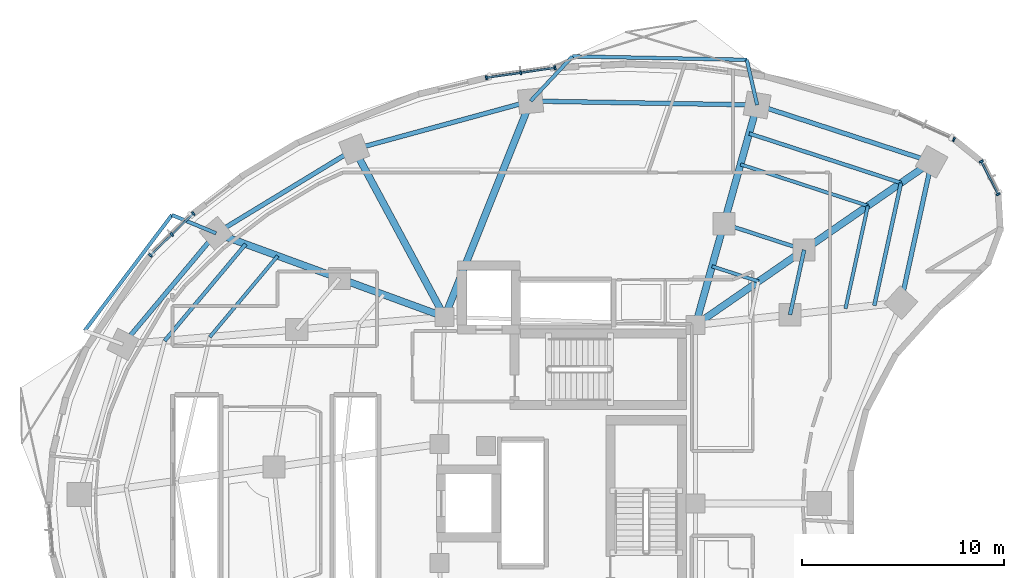
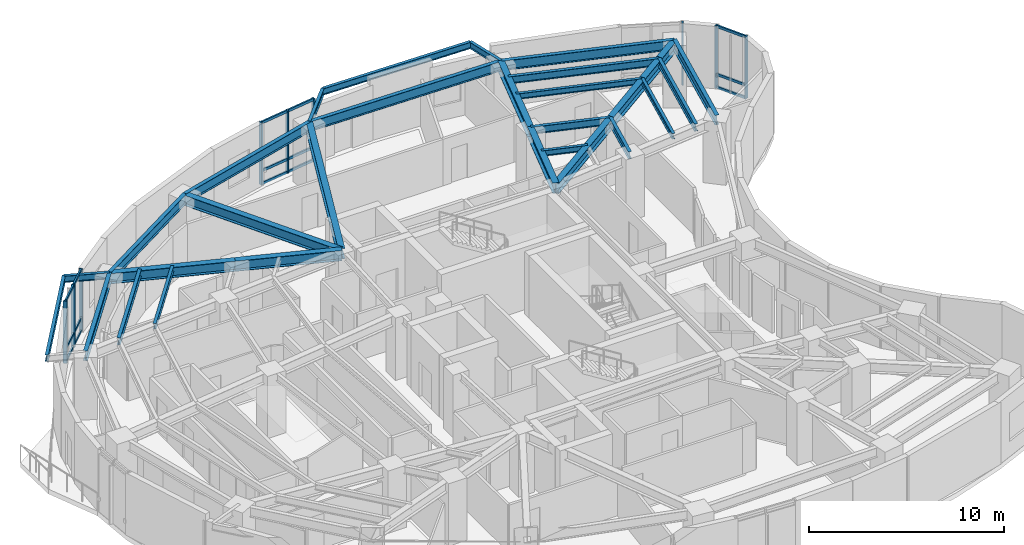
# One storey, part 5 of 15: 28 beams, 24 members, 4 elements without a shape of their own.
"""IFC4 building model written with IfcOpenShell, lengths in metres."""

from ifc_helpers import new_model, si_unit, direction, frame, origin, origin_2d, place, context, subcontext, project, spatial, rectangle, i_section, extrude, material, layer, layer_set, material_profile, profile_set, type_object, element, aggregate, save


model = new_model("IFC4")

# Units and contexts
model_context = context("Model", 3, precision=1e-05, world=origin(), true_north=direction((0.0, 1.0)))
body_context = subcontext(model_context, "Body", "Model", "MODEL_VIEW")
ifc_project = project(units=[si_unit("LENGTHUNIT", "METRE"), si_unit("AREAUNIT", "SQUARE_METRE"), si_unit("VOLUMEUNIT", "CUBIC_METRE"), si_unit("PLANEANGLEUNIT", "RADIAN"), si_unit("MASSUNIT", "GRAM", prefix="KILO")], contexts=[model_context])

# Site, building, storey
site_placement = place(None, origin())
site = spatial("IfcSite", under=ifc_project, at=site_placement, CompositionType="ELEMENT")
building_placement = place(site_placement, origin())
building = spatial("IfcBuilding", under=site, at=building_placement, Name="Korentha Bioscience Tower", CompositionType="ELEMENT")
storey_placement = place(building_placement, frame((0.0, 0.0, 94.199951171875)))
storey = spatial("IfcBuildingStorey", under=building, at=storey_placement, Name="L21", CompositionType="ELEMENT", Elevation=94.199951171875)

# Beams
ifc_material_1 = material(Name="Steel S355", Category="steel")
ifc_material_profile_1 = material_profile(ifc_material_1, i_section(OverallWidth=0.18994140625, OverallDepth=0.45703125, WebThickness=0.009033203125, FlangeThickness=0.014404296875, at=origin_2d()), Name="Steel S355")
ifc_profile_set_1 = profile_set([ifc_material_profile_1], Name="Steel S355 (MB-460)")
beam_type_1 = type_object("IfcBeamType", Name="Mid-Ring Tie Girder W460x74", PredefinedType="BEAM", material=ifc_profile_set_1)
beam_1_placement = place(storey_placement, frame((42.93603515625, 39.57470703125, 3.671630859375), z_axis=(-0.95087582253, 0.309572560361, 0.0), x_axis=(-0.309572560361, -0.95087582253, 0.0)))
element("IfcBeam", 1, at=beam_1_placement, inside=storey, type_object=beam_type_1, Name="L21 Mid-Ring Tie Girder 01", PredefinedType="BEAM", context=body_context, shape_type="SweptSolid", body=[
    extrude(i_section(OverallWidth=0.18994140625, OverallDepth=0.45703125, WebThickness=0.009033203125, FlangeThickness=0.014404296875, at=origin_2d()), origin(), (0.0, 0.0, 1.0), 4.186767578125),
])
beam_2_placement = place(storey_placement, frame((42.235595703125, 36.360595703125, 3.671630859375), z_axis=(0.212928773299, 0.977067724112, 0.0), x_axis=(-0.977067724112, 0.212928773299, 0.0)))
element("IfcBeam", 2, at=beam_2_placement, inside=storey, type_object=beam_type_1, Name="L21 Mid-Ring Tie Girder 16", PredefinedType="BEAM", context=body_context, shape_type="SweptSolid", body=[
    extrude(i_section(OverallWidth=0.18994140625, OverallDepth=0.45703125, WebThickness=0.009033203125, FlangeThickness=0.014404296875, at=origin_2d()), origin(), (0.0, 0.0, 1.0), 3.28955078125),
])

# Curtain wall, member
ifc_material_2 = material(Name="Thermally Broken Aluminium Frame", Category="aluminium")
ifc_layer = layer(ifc_material_2, 0.219970703125, Name="Thermally Broken Aluminium Frame")
ifc_layer_set = layer_set([ifc_layer], Name="Thermally Broken Aluminium Frame (CW-T2)")
curtain_wall_type = type_object("IfcCurtainWallType", Name="Solar-Screened Lab Unitised Curtain Wall CW-T2", PredefinedType="USERDEFINED", material=ifc_layer_set)
curtain_wall_1_placement = place(storey_placement, origin())
curtain_wall_1 = element("IfcCurtainWall", 3, at=curtain_wall_1_placement, inside=storey, type_object=curtain_wall_type, Name="L21 Curtain Wall 01", ObjectType="UNITISED", PredefinedType="USERDEFINED")
ifc_material_3 = material(Name="Anodised Aluminium 6063-T6", Category="aluminium")
ifc_material_profile_2 = material_profile(ifc_material_3, rectangle(XDim=0.090087890625, YDim=0.199951171875, at=origin_2d()), Name="Anodised Aluminium 6063-T6")
ifc_profile_set_2 = profile_set([ifc_material_profile_2], Name="Anodised Aluminium 6063-T6 (CW-MUL)")
member_type_1 = type_object("IfcMemberType", Name="Mullion RECT 90x200", PredefinedType="MULLION", material=ifc_profile_set_2)
member_1_placement = place(storey_placement, frame((50.364013671875, 45.0517578125, 0.0), z_axis=(0.0, 0.0, 1.0), x_axis=(-0.912686563127, 0.408660295952, 0.0)))
member_1 = element("IfcMember", 4, at=member_1_placement, type_object=member_type_1, Name="CW-L21-01 Mullion 1", PredefinedType="MULLION", context=body_context, shape_type="SweptSolid", body=[
    extrude(rectangle(XDim=0.090087890625, YDim=0.199951171875, at=origin_2d()), origin(), (0.0, 0.0, 1.0), 3.900146484375),
])
aggregate(curtain_wall_1, [member_1])

# Curtain wall, members
curtain_wall_2_placement = place(storey_placement, origin())
curtain_wall_2 = element("IfcCurtainWall", 5, at=curtain_wall_2_placement, inside=storey, type_object=curtain_wall_type, Name="L21 Curtain Wall 07", ObjectType="UNITISED", PredefinedType="USERDEFINED")
member_2_placement = place(storey_placement, frame((30.576416015625, 48.609375, 0.0), z_axis=(0.0, 0.0, 1.0), x_axis=(-0.989738282326, -0.14289203091, 0.0)))
member_2 = element("IfcMember", 6, at=member_2_placement, type_object=member_type_1, Name="CW-L21-07 Mullion 1", PredefinedType="MULLION", context=body_context, shape_type="SweptSolid", body=[
    extrude(rectangle(XDim=0.090087890625, YDim=0.199951171875, at=origin_2d()), origin(), (0.0, 0.0, 1.0), 3.900146484375),
])
member_3_placement = place(storey_placement, frame((28.873291015625, 48.363525390625, 0.0), z_axis=(0.0, 0.0, 1.0), x_axis=(-0.989738282326, -0.14289203091, 0.0)))
member_3 = element("IfcMember", 7, at=member_3_placement, type_object=member_type_1, Name="CW-L21-07 Mullion 2", PredefinedType="MULLION", context=body_context, shape_type="SweptSolid", body=[
    extrude(rectangle(XDim=0.090087890625, YDim=0.199951171875, at=origin_2d()), origin(), (0.0, 0.0, 1.0), 3.900146484375),
])
member_4_placement = place(storey_placement, frame((27.170166015625, 48.11767578125, 0.0), z_axis=(0.0, 0.0, 1.0), x_axis=(-0.989738282326, -0.14289203091, 0.0)))
member_4 = element("IfcMember", 8, at=member_4_placement, type_object=member_type_1, Name="CW-L21-07 Mullion 3", PredefinedType="MULLION", context=body_context, shape_type="SweptSolid", body=[
    extrude(rectangle(XDim=0.090087890625, YDim=0.199951171875, at=origin_2d()), origin(), (0.0, 0.0, 1.0), 3.900146484375),
])

curtain_wall_3_placement = place(storey_placement, origin())
curtain_wall_3 = element("IfcCurtainWall", 9, at=curtain_wall_3_placement, inside=storey, type_object=curtain_wall_type, Name="L21 Curtain Wall 13", ObjectType="UNITISED", PredefinedType="USERDEFINED")
member_5_placement = place(storey_placement, frame((12.631103515625, 41.377197265625, 0.0), z_axis=(0.0, 0.0, 1.0), x_axis=(-0.716095631804, -0.698002182025, 0.0)))
member_5 = element("IfcMember", 10, at=member_5_placement, type_object=member_type_1, Name="CW-L21-13 Mullion 1", PredefinedType="MULLION", context=body_context, shape_type="SweptSolid", body=[
    extrude(rectangle(XDim=0.090087890625, YDim=0.199951171875, at=origin_2d()), origin(), (0.0, 0.0, 1.0), 3.900146484375),
])
member_6_placement = place(storey_placement, frame((11.56689453125, 40.340087890625, 0.0), z_axis=(0.0, 0.0, 1.0), x_axis=(-0.716095631804, -0.698002182025, 0.0)))
member_6 = element("IfcMember", 11, at=member_6_placement, type_object=member_type_1, Name="CW-L21-13 Mullion 2", PredefinedType="MULLION", context=body_context, shape_type="SweptSolid", body=[
    extrude(rectangle(XDim=0.090087890625, YDim=0.199951171875, at=origin_2d()), origin(), (0.0, 0.0, 1.0), 3.900146484375),
])
member_7_placement = place(storey_placement, frame((10.5029296875, 39.302734375, 0.0), z_axis=(0.0, 0.0, 1.0), x_axis=(-0.716095631804, -0.698002182025, 0.0)))
member_7 = element("IfcMember", 12, at=member_7_placement, type_object=member_type_1, Name="CW-L21-13 Mullion 3", PredefinedType="MULLION", context=body_context, shape_type="SweptSolid", body=[
    extrude(rectangle(XDim=0.090087890625, YDim=0.199951171875, at=origin_2d()), origin(), (0.0, 0.0, 1.0), 3.900146484375),
])

curtain_wall_4_placement = place(storey_placement, origin())
curtain_wall_4 = element("IfcCurtainWall", 13, at=curtain_wall_4_placement, inside=storey, type_object=curtain_wall_type, Name="L21 Curtain Wall 61", ObjectType="UNITISED", PredefinedType="USERDEFINED")
member_8_placement = place(storey_placement, frame((52.55859375, 42.337158203125, 0.0), z_axis=(0.0, 0.0, 1.0), x_axis=(-0.457613117169, 0.889151412862, 0.0)))
member_8 = element("IfcMember", 14, at=member_8_placement, type_object=member_type_1, Name="CW-L21-61 Mullion 1", PredefinedType="MULLION", context=body_context, shape_type="SweptSolid", body=[
    extrude(rectangle(XDim=0.090087890625, YDim=0.199951171875, at=origin_2d()), origin(), (0.0, 0.0, 1.0), 3.900146484375),
])
member_9_placement = place(storey_placement, frame((51.722412109375, 43.962158203125, 0.0), z_axis=(0.0, 0.0, 1.0), x_axis=(-0.457613117169, 0.889151412862, 0.0)))
member_9 = element("IfcMember", 15, at=member_9_placement, type_object=member_type_1, Name="CW-L21-61 Mullion 2", PredefinedType="MULLION", context=body_context, shape_type="SweptSolid", body=[
    extrude(rectangle(XDim=0.090087890625, YDim=0.199951171875, at=origin_2d()), origin(), (0.0, 0.0, 1.0), 3.900146484375),
])

# Beams
ifc_material_profile_3 = material_profile(ifc_material_1, i_section(OverallWidth=0.22802734375, OverallDepth=0.60791015625, WebThickness=0.01123046875, FlangeThickness=0.017333984375, at=origin_2d()), Name="Steel S355")
ifc_profile_set_3 = profile_set([ifc_material_profile_3], Name="Steel S355 (SB-610)")
beam_type_2 = type_object("IfcBeamType", Name="Perimeter Ring Spandrel Girder W610x113", PredefinedType="SPANDREL", material=ifc_profile_set_3)
beam_3_placement = place(storey_placement, frame((49.2587890625, 43.947021484375, 3.595947265625), z_axis=(-0.950867758759, 0.309597327755, 0.0), x_axis=(-0.309597327755, -0.950867758759, 0.0)))
element("IfcBeam", 16, at=beam_3_placement, inside=storey, type_object=beam_type_2, Name="L21 Perimeter Spandrel Girder 01", PredefinedType="SPANDREL", context=body_context, shape_type="SweptSolid", body=[
    extrude(i_section(OverallWidth=0.22802734375, OverallDepth=0.60791015625, WebThickness=0.01123046875, FlangeThickness=0.017333984375, at=origin_2d()), origin(), (0.0, 0.0, 1.0), 9.101806640625),
])
beam_4_placement = place(storey_placement, frame((40.604248046875, 46.764892578125, 3.595947265625), z_axis=(-0.999850566826, 0.017287105523, 0.0), x_axis=(-0.017287105523, -0.999850566826, 0.0)))
element("IfcBeam", 17, at=beam_4_placement, inside=storey, type_object=beam_type_2, Name="L21 Perimeter Spandrel Girder 02", PredefinedType="SPANDREL", context=body_context, shape_type="SweptSolid", body=[
    extrude(i_section(OverallWidth=0.22802734375, OverallDepth=0.60791015625, WebThickness=0.01123046875, FlangeThickness=0.017333984375, at=origin_2d()), origin(), (0.0, 0.0, 1.0), 11.24169921875),
])
beam_5_placement = place(storey_placement, frame((29.3642578125, 46.959228515625, 3.595947265625), z_axis=(-0.964659386444, -0.263500034431, 0.0), x_axis=(0.263500034431, -0.964659386444, 0.0)))
element("IfcBeam", 18, at=beam_5_placement, inside=storey, type_object=beam_type_2, Name="L21 Perimeter Spandrel Girder 03", PredefinedType="SPANDREL", context=body_context, shape_type="SweptSolid", body=[
    extrude(i_section(OverallWidth=0.22802734375, OverallDepth=0.60791015625, WebThickness=0.01123046875, FlangeThickness=0.017333984375, at=origin_2d()), origin(), (0.0, 0.0, 1.0), 9.06982421875),
])
beam_6_placement = place(storey_placement, frame((20.614990234375, 44.5693359375, 3.595947265625), z_axis=(-0.854461040474, -0.51951547649, 0.0), x_axis=(0.51951547649, -0.854461040474, 0.0)))
element("IfcBeam", 19, at=beam_6_placement, inside=storey, type_object=beam_type_2, Name="L21 Perimeter Spandrel Girder 04", PredefinedType="SPANDREL", context=body_context, shape_type="SweptSolid", body=[
    extrude(i_section(OverallWidth=0.22802734375, OverallDepth=0.60791015625, WebThickness=0.01123046875, FlangeThickness=0.017333984375, at=origin_2d()), origin(), (0.0, 0.0, 1.0), 8.025146484375),
])
beam_7_placement = place(storey_placement, frame((13.7578125, 40.400146484375, 3.595947265625), z_axis=(-0.642126556076, -0.76659864726, 0.0), x_axis=(0.76659864726, -0.642126556076, 0.0)))
element("IfcBeam", 20, at=beam_7_placement, inside=storey, type_object=beam_type_2, Name="L21 Perimeter Spandrel Girder 05", PredefinedType="SPANDREL", context=body_context, shape_type="SweptSolid", body=[
    extrude(i_section(OverallWidth=0.22802734375, OverallDepth=0.60791015625, WebThickness=0.01123046875, FlangeThickness=0.017333984375, at=origin_2d()), origin(), (0.0, 0.0, 1.0), 7.1884765625),
])
beam_8_placement = place(storey_placement, frame((47.736083984375, 36.959716796875, 3.595947265625), z_axis=(0.212927102256, 0.977068088275, 0.0), x_axis=(-0.977068088275, 0.212927102256, 0.0)))
element("IfcBeam", 21, at=beam_8_placement, inside=storey, type_object=beam_type_2, Name="L21 Perimeter Spandrel Girder 16", PredefinedType="SPANDREL", context=body_context, shape_type="SweptSolid", body=[
    extrude(i_section(OverallWidth=0.22802734375, OverallDepth=0.60791015625, WebThickness=0.01123046875, FlangeThickness=0.017333984375, at=origin_2d()), origin(), (0.0, 0.0, 1.0), 7.1513671875),
])
ifc_material_profile_4 = material_profile(ifc_material_1, i_section(OverallWidth=0.18994140625, OverallDepth=0.45703125, WebThickness=0.009033203125, FlangeThickness=0.014404296875, at=origin_2d()), Name="Steel S355")
ifc_profile_set_4 = profile_set([ifc_material_profile_4], Name="Steel S355 (RB-460)")
beam_type_3 = type_object("IfcBeamType", Name="Radial Laboratory Beam W460x74", PredefinedType="BEAM", material=ifc_profile_set_4)
beam_9_placement = place(storey_placement, frame((47.7412109375, 42.8974609375, 3.671630859375), z_axis=(-0.950866789802, 0.3096003037, 0.0), x_axis=(-0.3096003037, -0.950866789802, 0.0)))
element("IfcBeam", 22, at=beam_9_placement, inside=storey, type_object=beam_type_3, Name="L21 Secondary Floor Beam JSTO-01", PredefinedType="BEAM", context=body_context, shape_type="SweptSolid", body=[
    extrude(i_section(OverallWidth=0.18994140625, OverallDepth=0.45703125, WebThickness=0.009033203125, FlangeThickness=0.014404296875, at=origin_2d()), origin(), (0.0, 0.0, 1.0), 7.921875),
])
beam_10_placement = place(storey_placement, frame((15.227783203125, 39.8623046875, 3.671630859375), z_axis=(-0.642128156066, -0.766597307057, 0.0), x_axis=(0.766597307057, -0.642128156066, 0.0)))
element("IfcBeam", 23, at=beam_10_placement, inside=storey, type_object=beam_type_3, Name="L21 Secondary Floor Beam JSTO-05", PredefinedType="BEAM", context=body_context, shape_type="SweptSolid", body=[
    extrude(i_section(OverallWidth=0.18994140625, OverallDepth=0.45703125, WebThickness=0.009033203125, FlangeThickness=0.014404296875, at=origin_2d()), origin(), (0.0, 0.0, 1.0), 6.257080078125),
])
beam_11_placement = place(storey_placement, frame((46.416015625, 36.81591796875, 3.671630859375), z_axis=(0.21290837934, 0.977072168269, 0.0), x_axis=(-0.977072168269, 0.21290837934, 0.0)))
element("IfcBeam", 24, at=beam_11_placement, inside=storey, type_object=beam_type_3, Name="L21 Secondary Floor Beam JSTO-16", PredefinedType="BEAM", context=body_context, shape_type="SweptSolid", body=[
    extrude(i_section(OverallWidth=0.18994140625, OverallDepth=0.45703125, WebThickness=0.009033203125, FlangeThickness=0.014404296875, at=origin_2d()), origin(), (0.0, 0.0, 1.0), 6.224365234375),
])
ifc_material_profile_5 = material_profile(ifc_material_1, i_section(OverallWidth=0.35009765625, OverallDepth=0.64990234375, WebThickness=0.01611328125, FlangeThickness=0.02490234375, at=origin_2d()), Name="Steel S355")
ifc_profile_set_5 = profile_set([ifc_material_profile_5], Name="Steel S355 (RB-650)")
beam_type_4 = type_object("IfcBeamType", Name="Radial Laboratory Girder CVS 650x208", PredefinedType="BEAM", material=ifc_profile_set_5)
beam_12_placement = place(storey_placement, frame((37.550048828125, 35.85009765625, 3.574951171875), z_axis=(0.822488699387, 0.568781451333, 0.0), x_axis=(-0.568781451333, 0.822488699387, 0.0)))
element("IfcBeam", 25, at=beam_12_placement, inside=storey, type_object=beam_type_4, Name="L21 Inner Radial Girder 01", PredefinedType="BEAM", context=body_context, shape_type="SweptSolid", body=[
    extrude(i_section(OverallWidth=0.35009765625, OverallDepth=0.64990234375, WebThickness=0.01611328125, FlangeThickness=0.02490234375, at=origin_2d()), origin(), (0.0, 0.0, 1.0), 6.54833984375),
])
beam_13_placement = place(storey_placement, frame((42.93603515625, 39.57470703125, 3.574951171875), z_axis=(0.822495056204, 0.568772258922, 0.0), x_axis=(-0.568772258922, 0.822495056204, 0.0)))
element("IfcBeam", 26, at=beam_13_placement, inside=storey, type_object=beam_type_4, Name="L21 Outer Radial Girder 01", PredefinedType="BEAM", context=body_context, shape_type="SweptSolid", body=[
    extrude(i_section(OverallWidth=0.35009765625, OverallDepth=0.64990234375, WebThickness=0.01611328125, FlangeThickness=0.02490234375, at=origin_2d()), origin(), (0.0, 0.0, 1.0), 7.687255859375),
])
beam_14_placement = place(storey_placement, frame((37.550048828125, 35.85009765625, 3.574951171875), z_axis=(0.269447542125, 0.96301506844, 0.0), x_axis=(-0.96301506844, 0.269447542125, 0.0)))
element("IfcBeam", 27, at=beam_14_placement, inside=storey, type_object=beam_type_4, Name="L21 Inner Radial Girder 02", PredefinedType="BEAM", context=body_context, shape_type="SweptSolid", body=[
    extrude(i_section(OverallWidth=0.35009765625, OverallDepth=0.64990234375, WebThickness=0.01611328125, FlangeThickness=0.02490234375, at=origin_2d()), origin(), (0.0, 0.0, 1.0), 5.213623046875),
])
beam_15_placement = place(storey_placement, frame((38.954833984375, 40.870849609375, 3.574951171875), z_axis=(0.269490843458, 0.963002951861, 0.0), x_axis=(-0.963002951861, 0.269490843458, 0.0)))
element("IfcBeam", 28, at=beam_15_placement, inside=storey, type_object=beam_type_4, Name="L21 Outer Radial Girder 02", PredefinedType="BEAM", context=body_context, shape_type="SweptSolid", body=[
    extrude(i_section(OverallWidth=0.35009765625, OverallDepth=0.64990234375, WebThickness=0.01611328125, FlangeThickness=0.02490234375, at=origin_2d()), origin(), (0.0, 0.0, 1.0), 6.120361328125),
])
beam_16_placement = place(storey_placement, frame((25.10009765625, 36.25, 3.574951171875), z_axis=(0.369929528493, 0.929059817207, 0.0), x_axis=(-0.929059817207, 0.369929528493, 0.0)))
element("IfcBeam", 29, at=beam_16_placement, inside=storey, type_object=beam_type_4, Name="L21 Radial Girder 03", PredefinedType="BEAM", context=body_context, shape_type="SweptSolid", body=[
    extrude(i_section(OverallWidth=0.35009765625, OverallDepth=0.64990234375, WebThickness=0.01611328125, FlangeThickness=0.02490234375, at=origin_2d()), origin(), (0.0, 0.0, 1.0), 11.52685546875),
])
beam_17_placement = place(storey_placement, frame((25.10009765625, 36.25, 3.574951171875), z_axis=(-0.474548018732, 0.880229616587, 0.0), x_axis=(-0.880229616587, -0.474548018732, 0.0)))
element("IfcBeam", 30, at=beam_17_placement, inside=storey, type_object=beam_type_4, Name="L21 Radial Girder 04", PredefinedType="BEAM", context=body_context, shape_type="SweptSolid", body=[
    extrude(i_section(OverallWidth=0.35009765625, OverallDepth=0.64990234375, WebThickness=0.01611328125, FlangeThickness=0.02490234375, at=origin_2d()), origin(), (0.0, 0.0, 1.0), 9.451416015625),
])
beam_18_placement = place(storey_placement, frame((25.10009765625, 36.25, 3.574951171875), z_axis=(-0.939118010396, 0.343594765022, 0.0), x_axis=(-0.343594765022, -0.939118010396, 0.0)))
element("IfcBeam", 31, at=beam_18_placement, inside=storey, type_object=beam_type_4, Name="L21 Inner Radial Girder 05", PredefinedType="BEAM", context=body_context, shape_type="SweptSolid", body=[
    extrude(i_section(OverallWidth=0.35009765625, OverallDepth=0.64990234375, WebThickness=0.01611328125, FlangeThickness=0.02490234375, at=origin_2d()), origin(), (0.0, 0.0, 1.0), 5.5556640625),
])
beam_19_placement = place(storey_placement, frame((19.882568359375, 38.158935546875, 3.574951171875), z_axis=(-0.939100755225, 0.343641923425, 0.0), x_axis=(-0.343641923425, -0.939100755225, 0.0)))
element("IfcBeam", 32, at=beam_19_placement, inside=storey, type_object=beam_type_4, Name="L21 Outer Radial Girder 05", PredefinedType="BEAM", context=body_context, shape_type="SweptSolid", body=[
    extrude(i_section(OverallWidth=0.35009765625, OverallDepth=0.64990234375, WebThickness=0.01611328125, FlangeThickness=0.02490234375, at=origin_2d()), origin(), (0.0, 0.0, 1.0), 6.52197265625),
])
ifc_material_profile_6 = material_profile(ifc_material_1, i_section(OverallWidth=0.1708984375, OverallDepth=0.35498046875, WebThickness=0.007080078125, FlangeThickness=0.01171875, at=origin_2d()), Name="Steel S355")
ifc_profile_set_6 = profile_set([ifc_material_profile_6], Name="Steel S355 (JB-360)")
beam_type_5 = type_object("IfcBeamType", Name="Secondary Laboratory Joist W360x51", PredefinedType="JOIST", material=ifc_profile_set_6)
beam_20_placement = place(storey_placement, frame((46.097412109375, 41.7607421875, 3.72265625), z_axis=(-0.950864890997, 0.309606135387, 0.0), x_axis=(-0.309606135387, -0.950864890997, 0.0)))
element("IfcBeam", 33, at=beam_20_placement, inside=storey, type_object=beam_type_5, Name="L21 Secondary Floor Beam JST-01", PredefinedType="JOIST", context=body_context, shape_type="SweptSolid", body=[
    extrude(i_section(OverallWidth=0.1708984375, OverallDepth=0.35498046875, WebThickness=0.007080078125, FlangeThickness=0.01171875, at=origin_2d()), origin(), (0.0, 0.0, 1.0), 6.644287109375),
])
beam_21_placement = place(storey_placement, frame((40.673828125, 38.01025390625, 3.72265625), z_axis=(-0.950852158547, 0.30964523666, 0.0), x_axis=(-0.30964523666, -0.950852158547, 0.0)))
element("IfcBeam", 34, at=beam_21_placement, inside=storey, type_object=beam_type_5, Name="L21 Inner Bay Joist 01", PredefinedType="JOIST", context=body_context, shape_type="SweptSolid", body=[
    extrude(i_section(OverallWidth=0.1708984375, OverallDepth=0.35498046875, WebThickness=0.007080078125, FlangeThickness=0.01171875, at=origin_2d()), origin(), (0.0, 0.0, 1.0), 2.428466796875),
])
beam_22_placement = place(storey_placement, frame((16.8203125, 39.279541015625, 3.72265625), z_axis=(-0.642140812018, -0.76658670582, 0.0), x_axis=(0.76658670582, -0.642140812018, 0.0)))
element("IfcBeam", 35, at=beam_22_placement, inside=storey, type_object=beam_type_5, Name="L21 Secondary Floor Beam JST-05", PredefinedType="JOIST", context=body_context, shape_type="SweptSolid", body=[
    extrude(i_section(OverallWidth=0.1708984375, OverallDepth=0.35498046875, WebThickness=0.007080078125, FlangeThickness=0.01171875, at=origin_2d()), origin(), (0.0, 0.0, 1.0), 5.247802734375),
])
beam_23_placement = place(storey_placement, frame((44.98583984375, 36.66015625, 3.72265625), z_axis=(0.212932493609, 0.977066913351, 0.0), x_axis=(-0.977066913351, 0.212932493609, 0.0)))
element("IfcBeam", 36, at=beam_23_placement, inside=storey, type_object=beam_type_5, Name="L21 Secondary Floor Beam JST-16", PredefinedType="JOIST", context=body_context, shape_type="SweptSolid", body=[
    extrude(i_section(OverallWidth=0.1708984375, OverallDepth=0.35498046875, WebThickness=0.007080078125, FlangeThickness=0.01171875, at=origin_2d()), origin(), (0.0, 0.0, 1.0), 5.22021484375),
])
ifc_material_profile_7 = material_profile(ifc_material_1, i_section(OverallWidth=0.177978515625, OverallDepth=0.406982421875, WebThickness=0.0078125, FlangeThickness=0.0126953125, at=origin_2d()), Name="Steel S355")
ifc_profile_set_7 = profile_set([ifc_material_profile_7], Name="Steel S355 (CB-410)")
beam_type_6 = type_object("IfcBeamType", Name="Sun-Ledge Cantilever Beam W410x60", PredefinedType="BEAM", material=ifc_profile_set_7)
beam_24_placement = place(storey_placement, frame((40.604248046875, 46.764892578125, 3.698486328125), z_axis=(-0.223355143681, 0.974737133688, 0.0), x_axis=(-0.974737133688, -0.223355143681, 0.0)))
element("IfcBeam", 37, at=beam_24_placement, inside=storey, type_object=beam_type_6, Name="L21 Balcony Cantilever Bracket A-L22-01", PredefinedType="BEAM", context=body_context, shape_type="SweptSolid", body=[
    extrude(i_section(OverallWidth=0.177978515625, OverallDepth=0.406982421875, WebThickness=0.0078125, FlangeThickness=0.0126953125, at=origin_2d()), origin(), (0.0, 0.0, 1.0), 2.2998046875),
])
beam_25_placement = place(storey_placement, frame((29.3642578125, 46.959228515625, 3.698486328125), z_axis=(0.683612079986, 0.729845548111, 0.0), x_axis=(-0.729845548111, 0.683612079986, 0.0)))
element("IfcBeam", 38, at=beam_25_placement, inside=storey, type_object=beam_type_6, Name="L21 Balcony Cantilever Bracket B-L22-01", PredefinedType="BEAM", context=body_context, shape_type="SweptSolid", body=[
    extrude(i_section(OverallWidth=0.177978515625, OverallDepth=0.406982421875, WebThickness=0.0078125, FlangeThickness=0.0126953125, at=origin_2d()), origin(), (0.0, 0.0, 1.0), 3.036376953125),
])
beam_26_placement = place(storey_placement, frame((40.090576171875, 49.006591796875, 3.698486328125), z_axis=(-0.999809898127, 0.019497887269, 0.0), x_axis=(-0.019497887269, -0.999809898127, 0.0)))
element("IfcBeam", 39, at=beam_26_placement, inside=storey, type_object=beam_type_6, Name="L21 Balcony Edge Trimmer Beam L22-01", PredefinedType="BEAM", context=body_context, shape_type="SweptSolid", body=[
    extrude(i_section(OverallWidth=0.177978515625, OverallDepth=0.406982421875, WebThickness=0.0078125, FlangeThickness=0.0126953125, at=origin_2d()), origin(), (0.0, 0.0, 1.0), 8.65234375),
])
beam_27_placement = place(storey_placement, frame((13.7578125, 40.400146484375, 3.698486328125), z_axis=(-0.92367900971, 0.383167178945, 0.0), x_axis=(-0.383167178945, -0.92367900971, 0.0)))
element("IfcBeam", 40, at=beam_27_placement, inside=storey, type_object=beam_type_6, Name="L21 Balcony Cantilever Bracket A-L22-02", PredefinedType="BEAM", context=body_context, shape_type="SweptSolid", body=[
    extrude(i_section(OverallWidth=0.177978515625, OverallDepth=0.406982421875, WebThickness=0.0078125, FlangeThickness=0.0126953125, at=origin_2d()), origin(), (0.0, 0.0, 1.0), 2.370849609375),
])
beam_28_placement = place(storey_placement, frame((11.56787109375, 41.30859375, 3.698486328125), z_axis=(-0.601701274166, -0.798721213357, 0.0), x_axis=(0.798721213357, -0.601701274166, 0.0)))
element("IfcBeam", 41, at=beam_28_placement, inside=storey, type_object=beam_type_6, Name="L21 Balcony Edge Trimmer Beam L22-02", PredefinedType="BEAM", context=body_context, shape_type="SweptSolid", body=[
    extrude(i_section(OverallWidth=0.177978515625, OverallDepth=0.406982421875, WebThickness=0.0078125, FlangeThickness=0.0126953125, at=origin_2d()), origin(), (0.0, 0.0, 1.0), 7.180908203125),
])

# Member
ifc_material_profile_8 = material_profile(ifc_material_3, rectangle(XDim=0.090087890625, YDim=0.159912109375, at=origin_2d()), Name="Anodised Aluminium 6063-T6")
ifc_profile_set_8 = profile_set([ifc_material_profile_8], Name="Anodised Aluminium 6063-T6 (CW-TRN)")
member_type_2 = type_object("IfcMemberType", Name="Transom RECT 90x160", PredefinedType="USERDEFINED", material=ifc_profile_set_8)
member_10_placement = place(storey_placement, frame((30.53173828125, 48.602783203125, 0.045166015625), z_axis=(-0.989747883164, -0.142825515132, 0.0), x_axis=(0.142825515132, -0.989747883164, 0.0)))
member_10 = element("IfcMember", 42, at=member_10_placement, type_object=member_type_2, Name="CW-L21-07 Bay 1 Transom 1", ObjectType="TRANSOM", PredefinedType="USERDEFINED", context=body_context, shape_type="SweptSolid", body=[
    extrude(rectangle(XDim=0.090087890625, YDim=0.159912109375, at=origin_2d()), origin(), (0.0, 0.0, 1.0), 1.630615234375),
])

member_11_placement = place(storey_placement, frame((30.53173828125, 48.602783203125, 0.85009765625), z_axis=(-0.989747883164, -0.142825515132, 0.0), x_axis=(0.142825515132, -0.989747883164, 0.0)))
member_11 = element("IfcMember", 43, at=member_11_placement, type_object=member_type_2, Name="CW-L21-07 Bay 1 Transom 2", ObjectType="TRANSOM", PredefinedType="USERDEFINED", context=body_context, shape_type="SweptSolid", body=[
    extrude(rectangle(XDim=0.090087890625, YDim=0.159912109375, at=origin_2d()), origin(), (0.0, 0.0, 1.0), 1.630615234375),
])

member_12_placement = place(storey_placement, frame((30.53173828125, 48.602783203125, 3.85498046875), z_axis=(-0.989747883164, -0.142825515132, 0.0), x_axis=(0.142825515132, -0.989747883164, 0.0)))
member_12 = element("IfcMember", 44, at=member_12_placement, type_object=member_type_2, Name="CW-L21-07 Bay 1 Transom 3", ObjectType="TRANSOM", PredefinedType="USERDEFINED", context=body_context, shape_type="SweptSolid", body=[
    extrude(rectangle(XDim=0.090087890625, YDim=0.159912109375, at=origin_2d()), origin(), (0.0, 0.0, 1.0), 1.630615234375),
])

member_13_placement = place(storey_placement, frame((28.82861328125, 48.357177734375, 0.045166015625), z_axis=(-0.989723648346, -0.142993356153, 0.0), x_axis=(0.142993356153, -0.989723648346, 0.0)))
member_13 = element("IfcMember", 45, at=member_13_placement, type_object=member_type_2, Name="CW-L21-07 Bay 2 Transom 1", ObjectType="TRANSOM", PredefinedType="USERDEFINED", context=body_context, shape_type="SweptSolid", body=[
    extrude(rectangle(XDim=0.090087890625, YDim=0.159912109375, at=origin_2d()), origin(), (0.0, 0.0, 1.0), 1.630615234375),
])

member_14_placement = place(storey_placement, frame((28.82861328125, 48.357177734375, 0.85009765625), z_axis=(-0.989723648346, -0.142993356153, 0.0), x_axis=(0.142993356153, -0.989723648346, 0.0)))
member_14 = element("IfcMember", 46, at=member_14_placement, type_object=member_type_2, Name="CW-L21-07 Bay 2 Transom 2", ObjectType="TRANSOM", PredefinedType="USERDEFINED", context=body_context, shape_type="SweptSolid", body=[
    extrude(rectangle(XDim=0.090087890625, YDim=0.159912109375, at=origin_2d()), origin(), (0.0, 0.0, 1.0), 1.630615234375),
])

member_15_placement = place(storey_placement, frame((28.82861328125, 48.357177734375, 3.85498046875), z_axis=(-0.989723648346, -0.142993356153, 0.0), x_axis=(0.142993356153, -0.989723648346, 0.0)))
member_15 = element("IfcMember", 47, at=member_15_placement, type_object=member_type_2, Name="CW-L21-07 Bay 2 Transom 3", ObjectType="TRANSOM", PredefinedType="USERDEFINED", context=body_context, shape_type="SweptSolid", body=[
    extrude(rectangle(XDim=0.090087890625, YDim=0.159912109375, at=origin_2d()), origin(), (0.0, 0.0, 1.0), 1.630615234375),
])

aggregate(curtain_wall_2, [member_2, member_3, member_4, member_10, member_11, member_12, member_13, member_14, member_15])

member_16_placement = place(storey_placement, frame((12.598876953125, 41.345703125, 0.045166015625), z_axis=(-0.716142170971, -0.697954433296, 0.0), x_axis=(0.697954433296, -0.716142170971, 0.0)))
member_16 = element("IfcMember", 48, at=member_16_placement, type_object=member_type_2, Name="CW-L21-13 Bay 1 Transom 1", ObjectType="TRANSOM", PredefinedType="USERDEFINED", context=body_context, shape_type="SweptSolid", body=[
    extrude(rectangle(XDim=0.090087890625, YDim=0.159912109375, at=origin_2d()), origin(), (0.0, 0.0, 1.0), 1.39599609375),
])

member_17_placement = place(storey_placement, frame((12.598876953125, 41.345703125, 0.85009765625), z_axis=(-0.716142170971, -0.697954433296, 0.0), x_axis=(0.697954433296, -0.716142170971, 0.0)))
member_17 = element("IfcMember", 49, at=member_17_placement, type_object=member_type_2, Name="CW-L21-13 Bay 1 Transom 2", ObjectType="TRANSOM", PredefinedType="USERDEFINED", context=body_context, shape_type="SweptSolid", body=[
    extrude(rectangle(XDim=0.090087890625, YDim=0.159912109375, at=origin_2d()), origin(), (0.0, 0.0, 1.0), 1.39599609375),
])

member_18_placement = place(storey_placement, frame((12.598876953125, 41.345703125, 3.85498046875), z_axis=(-0.716142170971, -0.697954433296, 0.0), x_axis=(0.697954433296, -0.716142170971, 0.0)))
member_18 = element("IfcMember", 50, at=member_18_placement, type_object=member_type_2, Name="CW-L21-13 Bay 1 Transom 3", ObjectType="TRANSOM", PredefinedType="USERDEFINED", context=body_context, shape_type="SweptSolid", body=[
    extrude(rectangle(XDim=0.090087890625, YDim=0.159912109375, at=origin_2d()), origin(), (0.0, 0.0, 1.0), 1.39599609375),
])

member_19_placement = place(storey_placement, frame((11.534912109375, 40.30859375, 0.045166015625), z_axis=(-0.716142170971, -0.697954433296, 0.0), x_axis=(0.697954433296, -0.716142170971, 0.0)))
member_19 = element("IfcMember", 51, at=member_19_placement, type_object=member_type_2, Name="CW-L21-13 Bay 2 Transom 1", ObjectType="TRANSOM", PredefinedType="USERDEFINED", context=body_context, shape_type="SweptSolid", body=[
    extrude(rectangle(XDim=0.090087890625, YDim=0.159912109375, at=origin_2d()), origin(), (0.0, 0.0, 1.0), 1.39599609375),
])

member_20_placement = place(storey_placement, frame((11.534912109375, 40.30859375, 0.85009765625), z_axis=(-0.716142170971, -0.697954433296, 0.0), x_axis=(0.697954433296, -0.716142170971, 0.0)))
member_20 = element("IfcMember", 52, at=member_20_placement, type_object=member_type_2, Name="CW-L21-13 Bay 2 Transom 2", ObjectType="TRANSOM", PredefinedType="USERDEFINED", context=body_context, shape_type="SweptSolid", body=[
    extrude(rectangle(XDim=0.090087890625, YDim=0.159912109375, at=origin_2d()), origin(), (0.0, 0.0, 1.0), 1.39599609375),
])

member_21_placement = place(storey_placement, frame((11.534912109375, 40.30859375, 3.85498046875), z_axis=(-0.716142170971, -0.697954433296, 0.0), x_axis=(0.697954433296, -0.716142170971, 0.0)))
member_21 = element("IfcMember", 53, at=member_21_placement, type_object=member_type_2, Name="CW-L21-13 Bay 2 Transom 3", ObjectType="TRANSOM", PredefinedType="USERDEFINED", context=body_context, shape_type="SweptSolid", body=[
    extrude(rectangle(XDim=0.090087890625, YDim=0.159912109375, at=origin_2d()), origin(), (0.0, 0.0, 1.0), 1.39599609375),
])

aggregate(curtain_wall_3, [member_5, member_6, member_7, member_16, member_17, member_18, member_19, member_20, member_21])

member_22_placement = place(storey_placement, frame((52.5380859375, 42.377197265625, 0.045166015625), z_axis=(-0.457636897633, 0.889139173541, 0.0), x_axis=(-0.889139173541, -0.457636897633, 0.0)))
member_22 = element("IfcMember", 54, at=member_22_placement, type_object=member_type_2, Name="CW-L21-61 Bay 1 Transom 1", ObjectType="TRANSOM", PredefinedType="USERDEFINED", context=body_context, shape_type="SweptSolid", body=[
    extrude(rectangle(XDim=0.090087890625, YDim=0.159912109375, at=origin_2d()), origin(), (0.0, 0.0, 1.0), 1.737548828125),
])

member_23_placement = place(storey_placement, frame((52.5380859375, 42.377197265625, 0.85009765625), z_axis=(-0.457636897633, 0.889139173541, 0.0), x_axis=(-0.889139173541, -0.457636897633, 0.0)))
member_23 = element("IfcMember", 55, at=member_23_placement, type_object=member_type_2, Name="CW-L21-61 Bay 1 Transom 2", ObjectType="TRANSOM", PredefinedType="USERDEFINED", context=body_context, shape_type="SweptSolid", body=[
    extrude(rectangle(XDim=0.090087890625, YDim=0.159912109375, at=origin_2d()), origin(), (0.0, 0.0, 1.0), 1.737548828125),
])

member_24_placement = place(storey_placement, frame((52.5380859375, 42.377197265625, 3.85498046875), z_axis=(-0.457636897633, 0.889139173541, 0.0), x_axis=(-0.889139173541, -0.457636897633, 0.0)))
member_24 = element("IfcMember", 56, at=member_24_placement, type_object=member_type_2, Name="CW-L21-61 Bay 1 Transom 3", ObjectType="TRANSOM", PredefinedType="USERDEFINED", context=body_context, shape_type="SweptSolid", body=[
    extrude(rectangle(XDim=0.090087890625, YDim=0.159912109375, at=origin_2d()), origin(), (0.0, 0.0, 1.0), 1.737548828125),
])

aggregate(curtain_wall_4, [member_8, member_9, member_22, member_23, member_24])

save(model, "model.ifc")
